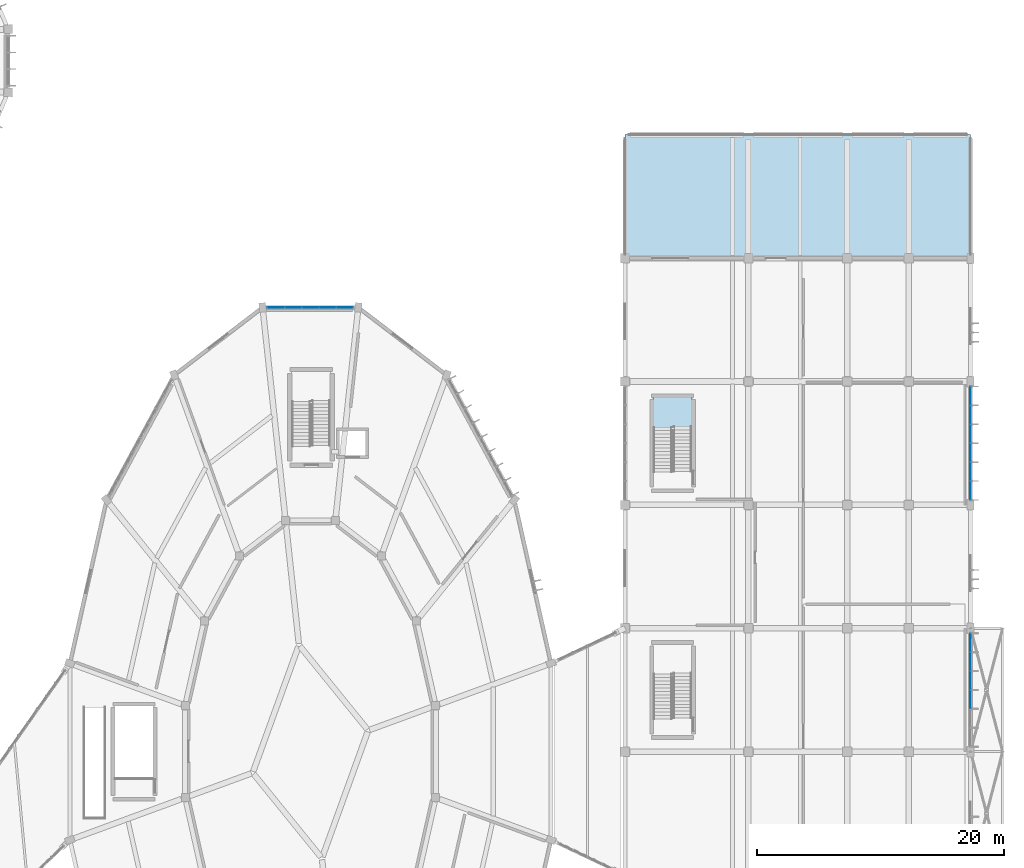
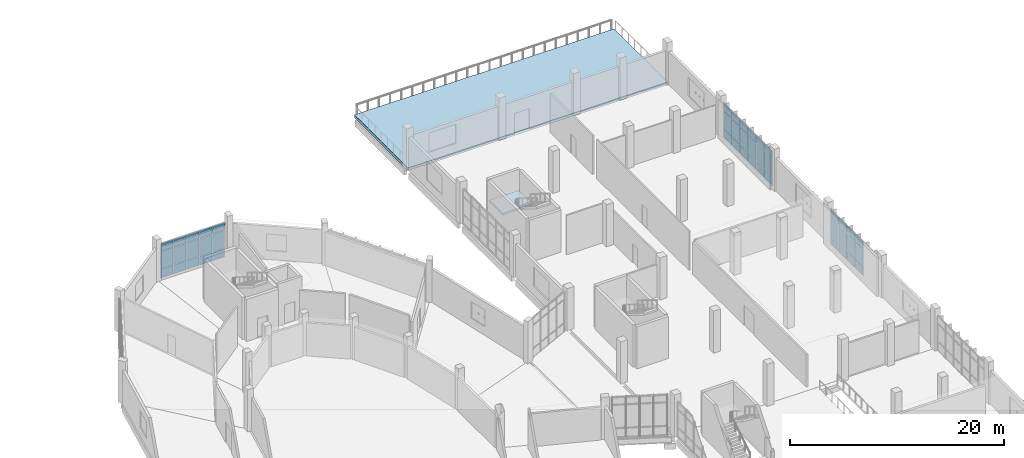
# One storey, part 107 of 179: 45 plates, 2 slabs, 4 elements without a shape of their own.
"""IFC4 building model written with IfcOpenShell, lengths in metres."""

from ifc_helpers import new_model, si_unit, direction, frame, origin, origin_2d, place, context, subcontext, project, spatial, polyline, rectangle, outline, extrude, material, layer, layer_set, type_object, element, aggregate, save


model = new_model("IFC4")

# Units and contexts
model_context = context("Model", 3, precision=1e-05, world=origin(), true_north=direction((0.0, 1.0)))
body_context = subcontext(model_context, "Body", "Model", "MODEL_VIEW")
ifc_project = project(units=[si_unit("LENGTHUNIT", "METRE"), si_unit("AREAUNIT", "SQUARE_METRE"), si_unit("VOLUMEUNIT", "CUBIC_METRE"), si_unit("PLANEANGLEUNIT", "RADIAN"), si_unit("MASSUNIT", "GRAM", prefix="KILO")], contexts=[model_context])

# Site, building, storey
site_placement = place(None, origin())
site = spatial("IfcSite", under=ifc_project, at=site_placement, CompositionType="ELEMENT")
building_placement = place(site_placement, origin())
building = spatial("IfcBuilding", under=site, at=building_placement, Name="Corvandel Quay Wholesale Market", CompositionType="ELEMENT")
storey_placement = place(building_placement, frame((0.0, 0.0, 6.0)))
storey = spatial("IfcBuildingStorey", under=building, at=storey_placement, Name="L01", CompositionType="ELEMENT", Elevation=6.0)

# Curtain wall, plates
ifc_material_1 = material(Name="Bronze anodised aluminium and low-E insulated glazing", Category="aluminium")
ifc_layer_1 = layer(ifc_material_1, 0.18603515625)
ifc_layer_set_1 = layer_set([ifc_layer_1], Name="Bronze anodised aluminium and low-E insulated glazing")
curtain_wall_type_1 = type_object("IfcCurtainWallType", Name="Stick Curtain Wall System CW13 H4170", PredefinedType="NOTDEFINED", material=ifc_layer_set_1)
curtain_wall_1_placement = place(storey_placement, origin())
curtain_wall_1 = element("IfcCurtainWall", 1, at=curtain_wall_1_placement, inside=storey, type_object=curtain_wall_type_1, Name="Curtain Wall CW-0132", PredefinedType="NOTDEFINED")
ifc_material_2 = material(Name="Solar-control low-E insulated glazing", Category="glass")
ifc_layer_2 = layer(ifc_material_2, 0.0400390625)
ifc_layer_set_2 = layer_set([ifc_layer_2], Name="Solar-control low-E insulated glazing")
plate_type_1 = type_object("IfcPlateType", Name="Ceramic Fritted Spandrel Panel PN03 40mm", PredefinedType="CURTAIN_PANEL", material=ifc_layer_set_2)
plate_1_placement = place(storey_placement, frame((197.283203125, 96.0, 3.1298828125), z_axis=(0.0, 0.0, 1.0), x_axis=(1.0, 0.0, 0.0)))
plate_1 = element("IfcPlate", 2, at=plate_1_placement, type_object=plate_type_1, Name="Glazing Panel CW-0132-P00-2", PredefinedType="CURTAIN_PANEL", context=body_context, shape_type="SweptSolid", body=[
    extrude(rectangle(XDim=1.32666015625, YDim=0.0400390625, at=origin_2d()), origin(), (0.0, 0.0, 1.0), 0.7900390625),
])
plate_2_placement = place(storey_placement, frame((195.8916015625, 96.0, 3.1298828125), z_axis=(0.0, 0.0, 1.0), x_axis=(1.0, 0.0, 0.0)))
plate_2 = element("IfcPlate", 3, at=plate_2_placement, type_object=plate_type_1, Name="Glazing Panel CW-0132-P01-2", PredefinedType="CURTAIN_PANEL", context=body_context, shape_type="SweptSolid", body=[
    extrude(rectangle(XDim=1.32666015625, YDim=0.0400390625, at=origin_2d()), origin(), (0.0, 0.0, 1.0), 0.7900390625),
])
plate_3_placement = place(storey_placement, frame((194.5, 96.0, 3.1298828125), z_axis=(0.0, 0.0, 1.0), x_axis=(1.0, 0.0, 0.0)))
plate_3 = element("IfcPlate", 4, at=plate_3_placement, type_object=plate_type_1, Name="Glazing Panel CW-0132-P02-2", PredefinedType="CURTAIN_PANEL", context=body_context, shape_type="SweptSolid", body=[
    extrude(rectangle(XDim=1.32666015625, YDim=0.0400390625, at=origin_2d()), origin(), (0.0, 0.0, 1.0), 0.7900390625),
])
plate_4_placement = place(storey_placement, frame((193.1083984375, 96.0, 3.1298828125), z_axis=(0.0, 0.0, 1.0), x_axis=(1.0, 0.0, 0.0)))
plate_4 = element("IfcPlate", 5, at=plate_4_placement, type_object=plate_type_1, Name="Glazing Panel CW-0132-P03-2", PredefinedType="CURTAIN_PANEL", context=body_context, shape_type="SweptSolid", body=[
    extrude(rectangle(XDim=1.32666015625, YDim=0.0400390625, at=origin_2d()), origin(), (0.0, 0.0, 1.0), 0.7900390625),
])
plate_5_placement = place(storey_placement, frame((191.716796875, 96.0, 3.1298828125), z_axis=(0.0, 0.0, 1.0), x_axis=(1.0, 0.0, 0.0)))
plate_5 = element("IfcPlate", 6, at=plate_5_placement, type_object=plate_type_1, Name="Glazing Panel CW-0132-P04-2", PredefinedType="CURTAIN_PANEL", context=body_context, shape_type="SweptSolid", body=[
    extrude(rectangle(XDim=1.32666015625, YDim=0.0400390625, at=origin_2d()), origin(), (0.0, 0.0, 1.0), 0.7900390625),
])

ifc_layer_3 = layer(ifc_material_1, 0.18603515625)
ifc_layer_set_3 = layer_set([ifc_layer_3], Name="Bronze anodised aluminium and low-E insulated glazing")
curtain_wall_type_2 = type_object("IfcCurtainWallType", Name="Stick Curtain Wall System CW18 H4620", PredefinedType="NOTDEFINED", material=ifc_layer_set_3)
curtain_wall_2_placement = place(storey_placement, origin())
curtain_wall_2 = element("IfcCurtainWall", 7, at=curtain_wall_2_placement, inside=storey, type_object=curtain_wall_type_2, Name="Curtain Wall CW-0153", PredefinedType="NOTDEFINED")
plate_6_placement = place(storey_placement, frame((248.0, 64.2333984375, 3.1298828125), z_axis=(0.0, 0.0, 1.0), x_axis=(0.0, 1.0, 0.0)))
plate_6 = element("IfcPlate", 8, at=plate_6_placement, type_object=plate_type_1, Name="Glazing Panel CW-0153-P02-2", PredefinedType="CURTAIN_PANEL", context=body_context, shape_type="SweptSolid", body=[
    extrude(rectangle(XDim=1.46826171875, YDim=0.0400390625, at=origin_2d()), origin(), (0.0, 0.0, 1.0), 0.7900390625),
])
plate_7_placement = place(storey_placement, frame((248.0, 65.7666015625, 3.1298828125), z_axis=(0.0, 0.0, 1.0), x_axis=(0.0, 1.0, 0.0)))
plate_7 = element("IfcPlate", 9, at=plate_7_placement, type_object=plate_type_1, Name="Glazing Panel CW-0153-P03-2", PredefinedType="CURTAIN_PANEL", context=body_context, shape_type="SweptSolid", body=[
    extrude(rectangle(XDim=1.46826171875, YDim=0.0400390625, at=origin_2d()), origin(), (0.0, 0.0, 1.0), 0.7900390625),
])
plate_8_placement = place(storey_placement, frame((248.0, 67.300048828125, 3.1298828125), z_axis=(0.0, 0.0, 1.0), x_axis=(0.0, 1.0, 0.0)))
plate_8 = element("IfcPlate", 10, at=plate_8_placement, type_object=plate_type_1, Name="Glazing Panel CW-0153-P04-2", PredefinedType="CURTAIN_PANEL", context=body_context, shape_type="SweptSolid", body=[
    extrude(rectangle(XDim=1.46826171875, YDim=0.0400390625, at=origin_2d()), origin(), (0.0, 0.0, 1.0), 0.7900390625),
])
plate_9_placement = place(storey_placement, frame((248.0, 68.833251953125, 3.1298828125), z_axis=(0.0, 0.0, 1.0), x_axis=(0.0, 1.0, 0.0)))
plate_9 = element("IfcPlate", 11, at=plate_9_placement, type_object=plate_type_1, Name="Glazing Panel CW-0153-P05-2", PredefinedType="CURTAIN_PANEL", context=body_context, shape_type="SweptSolid", body=[
    extrude(rectangle(XDim=1.46826171875, YDim=0.0400390625, at=origin_2d()), origin(), (0.0, 0.0, 1.0), 0.7900390625),
])

ifc_layer_4 = layer(ifc_material_1, 0.14990234375)
ifc_layer_set_4 = layer_set([ifc_layer_4], Name="Bronze anodised aluminium and low-E insulated glazing")
curtain_wall_type_3 = type_object("IfcCurtainWallType", Name="Stick Curtain Wall System CW20 H4800", PredefinedType="NOTDEFINED", material=ifc_layer_set_4)
curtain_wall_3_placement = place(storey_placement, origin())
curtain_wall_3 = element("IfcCurtainWall", 12, at=curtain_wall_3_placement, inside=storey, type_object=curtain_wall_type_3, Name="Curtain Wall CW-0154", PredefinedType="NOTDEFINED")
plate_10_placement = place(storey_placement, frame((248.0, 81.166748046875, 3.1298828125), z_axis=(0.0, 0.0, 1.0), x_axis=(0.0, 1.0, 0.0)))
plate_10 = element("IfcPlate", 13, at=plate_10_placement, type_object=plate_type_1, Name="Glazing Panel CW-0154-P00-2", PredefinedType="CURTAIN_PANEL", context=body_context, shape_type="SweptSolid", body=[
    extrude(rectangle(XDim=1.46826171875, YDim=0.0400390625, at=origin_2d()), origin(), (0.0, 0.0, 1.0), 0.7900390625),
])
plate_11_placement = place(storey_placement, frame((248.0, 82.699951171875, 3.1298828125), z_axis=(0.0, 0.0, 1.0), x_axis=(0.0, 1.0, 0.0)))
plate_11 = element("IfcPlate", 14, at=plate_11_placement, type_object=plate_type_1, Name="Glazing Panel CW-0154-P01-2", PredefinedType="CURTAIN_PANEL", context=body_context, shape_type="SweptSolid", body=[
    extrude(rectangle(XDim=1.46826171875, YDim=0.0400390625, at=origin_2d()), origin(), (0.0, 0.0, 1.0), 0.7900390625),
])
plate_12_placement = place(storey_placement, frame((248.0, 84.2333984375, 3.1298828125), z_axis=(0.0, 0.0, 1.0), x_axis=(0.0, 1.0, 0.0)))
plate_12 = element("IfcPlate", 15, at=plate_12_placement, type_object=plate_type_1, Name="Glazing Panel CW-0154-P02-2", PredefinedType="CURTAIN_PANEL", context=body_context, shape_type="SweptSolid", body=[
    extrude(rectangle(XDim=1.46826171875, YDim=0.0400390625, at=origin_2d()), origin(), (0.0, 0.0, 1.0), 0.7900390625),
])
plate_13_placement = place(storey_placement, frame((248.0, 85.7666015625, 3.1298828125), z_axis=(0.0, 0.0, 1.0), x_axis=(0.0, 1.0, 0.0)))
plate_13 = element("IfcPlate", 16, at=plate_13_placement, type_object=plate_type_1, Name="Glazing Panel CW-0154-P03-2", PredefinedType="CURTAIN_PANEL", context=body_context, shape_type="SweptSolid", body=[
    extrude(rectangle(XDim=1.46826171875, YDim=0.0400390625, at=origin_2d()), origin(), (0.0, 0.0, 1.0), 0.7900390625),
])
plate_14_placement = place(storey_placement, frame((248.0, 87.300048828125, 3.1298828125), z_axis=(0.0, 0.0, 1.0), x_axis=(0.0, 1.0, 0.0)))
plate_14 = element("IfcPlate", 17, at=plate_14_placement, type_object=plate_type_1, Name="Glazing Panel CW-0154-P04-2", PredefinedType="CURTAIN_PANEL", context=body_context, shape_type="SweptSolid", body=[
    extrude(rectangle(XDim=1.46826171875, YDim=0.0400390625, at=origin_2d()), origin(), (0.0, 0.0, 1.0), 0.7900390625),
])
plate_15_placement = place(storey_placement, frame((248.0, 88.833251953125, 3.1298828125), z_axis=(0.0, 0.0, 1.0), x_axis=(0.0, 1.0, 0.0)))
plate_15 = element("IfcPlate", 18, at=plate_15_placement, type_object=plate_type_1, Name="Glazing Panel CW-0154-P05-2", PredefinedType="CURTAIN_PANEL", context=body_context, shape_type="SweptSolid", body=[
    extrude(rectangle(XDim=1.46826171875, YDim=0.0400390625, at=origin_2d()), origin(), (0.0, 0.0, 1.0), 0.7900390625),
])

# Plate
ifc_layer_5 = layer(ifc_material_2, 0.028076171875)
ifc_layer_set_5 = layer_set([ifc_layer_5], Name="Solar-control low-E insulated glazing")
plate_type_2 = type_object("IfcPlateType", Name="Double Low-E Vision Panel PN01 28mm", PredefinedType="CURTAIN_PANEL", material=ifc_layer_set_5)
plate_16_placement = place(storey_placement, frame((197.283203125, 96.0, 0.02978515625), z_axis=(0.0, 0.0, 1.0), x_axis=(1.0, 0.0, 0.0)))
plate_16 = element("IfcPlate", 19, at=plate_16_placement, type_object=plate_type_2, Name="Glazing Panel CW-0132-P00-0", PredefinedType="CURTAIN_PANEL", context=body_context, shape_type="SweptSolid", body=[
    extrude(rectangle(XDim=1.32666015625, YDim=0.028076171875, at=origin_2d()), origin(), (0.0, 0.0, 1.0), 0.989990234375),
])

plate_17_placement = place(storey_placement, frame((197.283203125, 96.0, 1.080078125), z_axis=(0.0, 0.0, 1.0), x_axis=(1.0, 0.0, 0.0)))
plate_17 = element("IfcPlate", 20, at=plate_17_placement, type_object=plate_type_2, Name="Glazing Panel CW-0132-P00-1", PredefinedType="CURTAIN_PANEL", context=body_context, shape_type="SweptSolid", body=[
    extrude(rectangle(XDim=1.32666015625, YDim=0.028076171875, at=origin_2d()), origin(), (0.0, 0.0, 1.0), 1.989990234375),
])

plate_18_placement = place(storey_placement, frame((195.8916015625, 96.0, 0.02978515625), z_axis=(0.0, 0.0, 1.0), x_axis=(1.0, 0.0, 0.0)))
plate_18 = element("IfcPlate", 21, at=plate_18_placement, type_object=plate_type_2, Name="Glazing Panel CW-0132-P01-0", PredefinedType="CURTAIN_PANEL", context=body_context, shape_type="SweptSolid", body=[
    extrude(rectangle(XDim=1.32666015625, YDim=0.028076171875, at=origin_2d()), origin(), (0.0, 0.0, 1.0), 0.989990234375),
])

plate_19_placement = place(storey_placement, frame((195.8916015625, 96.0, 1.080078125), z_axis=(0.0, 0.0, 1.0), x_axis=(1.0, 0.0, 0.0)))
plate_19 = element("IfcPlate", 22, at=plate_19_placement, type_object=plate_type_2, Name="Glazing Panel CW-0132-P01-1", PredefinedType="CURTAIN_PANEL", context=body_context, shape_type="SweptSolid", body=[
    extrude(rectangle(XDim=1.32666015625, YDim=0.028076171875, at=origin_2d()), origin(), (0.0, 0.0, 1.0), 1.989990234375),
])

plate_20_placement = place(storey_placement, frame((194.5, 96.0, 0.02978515625), z_axis=(0.0, 0.0, 1.0), x_axis=(1.0, 0.0, 0.0)))
plate_20 = element("IfcPlate", 23, at=plate_20_placement, type_object=plate_type_2, Name="Glazing Panel CW-0132-P02-0", PredefinedType="CURTAIN_PANEL", context=body_context, shape_type="SweptSolid", body=[
    extrude(rectangle(XDim=1.32666015625, YDim=0.028076171875, at=origin_2d()), origin(), (0.0, 0.0, 1.0), 0.989990234375),
])

plate_21_placement = place(storey_placement, frame((194.5, 96.0, 1.080078125), z_axis=(0.0, 0.0, 1.0), x_axis=(1.0, 0.0, 0.0)))
plate_21 = element("IfcPlate", 24, at=plate_21_placement, type_object=plate_type_2, Name="Glazing Panel CW-0132-P02-1", PredefinedType="CURTAIN_PANEL", context=body_context, shape_type="SweptSolid", body=[
    extrude(rectangle(XDim=1.32666015625, YDim=0.028076171875, at=origin_2d()), origin(), (0.0, 0.0, 1.0), 1.989990234375),
])

plate_22_placement = place(storey_placement, frame((193.1083984375, 96.0, 0.02978515625), z_axis=(0.0, 0.0, 1.0), x_axis=(1.0, 0.0, 0.0)))
plate_22 = element("IfcPlate", 25, at=plate_22_placement, type_object=plate_type_2, Name="Glazing Panel CW-0132-P03-0", PredefinedType="CURTAIN_PANEL", context=body_context, shape_type="SweptSolid", body=[
    extrude(rectangle(XDim=1.32666015625, YDim=0.028076171875, at=origin_2d()), origin(), (0.0, 0.0, 1.0), 0.989990234375),
])

plate_23_placement = place(storey_placement, frame((193.1083984375, 96.0, 1.080078125), z_axis=(0.0, 0.0, 1.0), x_axis=(1.0, 0.0, 0.0)))
plate_23 = element("IfcPlate", 26, at=plate_23_placement, type_object=plate_type_2, Name="Glazing Panel CW-0132-P03-1", PredefinedType="CURTAIN_PANEL", context=body_context, shape_type="SweptSolid", body=[
    extrude(rectangle(XDim=1.32666015625, YDim=0.028076171875, at=origin_2d()), origin(), (0.0, 0.0, 1.0), 1.989990234375),
])

plate_24_placement = place(storey_placement, frame((191.716796875, 96.0, 0.02978515625), z_axis=(0.0, 0.0, 1.0), x_axis=(1.0, 0.0, 0.0)))
plate_24 = element("IfcPlate", 27, at=plate_24_placement, type_object=plate_type_2, Name="Glazing Panel CW-0132-P04-0", PredefinedType="CURTAIN_PANEL", context=body_context, shape_type="SweptSolid", body=[
    extrude(rectangle(XDim=1.32666015625, YDim=0.028076171875, at=origin_2d()), origin(), (0.0, 0.0, 1.0), 0.989990234375),
])

plate_25_placement = place(storey_placement, frame((191.716796875, 96.0, 1.080078125), z_axis=(0.0, 0.0, 1.0), x_axis=(1.0, 0.0, 0.0)))
plate_25 = element("IfcPlate", 28, at=plate_25_placement, type_object=plate_type_2, Name="Glazing Panel CW-0132-P04-1", PredefinedType="CURTAIN_PANEL", context=body_context, shape_type="SweptSolid", body=[
    extrude(rectangle(XDim=1.32666015625, YDim=0.028076171875, at=origin_2d()), origin(), (0.0, 0.0, 1.0), 1.989990234375),
])

aggregate(curtain_wall_1, [plate_16, plate_17, plate_1, plate_18, plate_19, plate_2, plate_20, plate_21, plate_3, plate_22, plate_23, plate_4, plate_24, plate_25, plate_5])

plate_26_placement = place(storey_placement, frame((248.0, 64.2333984375, 0.02978515625), z_axis=(0.0, 0.0, 1.0), x_axis=(0.0, 1.0, 0.0)))
plate_26 = element("IfcPlate", 29, at=plate_26_placement, type_object=plate_type_2, Name="Glazing Panel CW-0153-P02-0", PredefinedType="CURTAIN_PANEL", context=body_context, shape_type="SweptSolid", body=[
    extrude(rectangle(XDim=1.46826171875, YDim=0.028076171875, at=origin_2d()), origin(), (0.0, 0.0, 1.0), 0.989990234375),
])

plate_27_placement = place(storey_placement, frame((248.0, 64.2333984375, 1.080078125), z_axis=(0.0, 0.0, 1.0), x_axis=(0.0, 1.0, 0.0)))
plate_27 = element("IfcPlate", 30, at=plate_27_placement, type_object=plate_type_2, Name="Glazing Panel CW-0153-P02-1", PredefinedType="CURTAIN_PANEL", context=body_context, shape_type="SweptSolid", body=[
    extrude(rectangle(XDim=1.46826171875, YDim=0.028076171875, at=origin_2d()), origin(), (0.0, 0.0, 1.0), 1.989990234375),
])

plate_28_placement = place(storey_placement, frame((248.0, 65.7666015625, 0.02978515625), z_axis=(0.0, 0.0, 1.0), x_axis=(0.0, 1.0, 0.0)))
plate_28 = element("IfcPlate", 31, at=plate_28_placement, type_object=plate_type_2, Name="Glazing Panel CW-0153-P03-0", PredefinedType="CURTAIN_PANEL", context=body_context, shape_type="SweptSolid", body=[
    extrude(rectangle(XDim=1.46826171875, YDim=0.028076171875, at=origin_2d()), origin(), (0.0, 0.0, 1.0), 0.989990234375),
])

plate_29_placement = place(storey_placement, frame((248.0, 65.7666015625, 1.080078125), z_axis=(0.0, 0.0, 1.0), x_axis=(0.0, 1.0, 0.0)))
plate_29 = element("IfcPlate", 32, at=plate_29_placement, type_object=plate_type_2, Name="Glazing Panel CW-0153-P03-1", PredefinedType="CURTAIN_PANEL", context=body_context, shape_type="SweptSolid", body=[
    extrude(rectangle(XDim=1.46826171875, YDim=0.028076171875, at=origin_2d()), origin(), (0.0, 0.0, 1.0), 1.989990234375),
])

plate_30_placement = place(storey_placement, frame((248.0, 67.300048828125, 0.02978515625), z_axis=(0.0, 0.0, 1.0), x_axis=(0.0, 1.0, 0.0)))
plate_30 = element("IfcPlate", 33, at=plate_30_placement, type_object=plate_type_2, Name="Glazing Panel CW-0153-P04-0", PredefinedType="CURTAIN_PANEL", context=body_context, shape_type="SweptSolid", body=[
    extrude(rectangle(XDim=1.46826171875, YDim=0.028076171875, at=origin_2d()), origin(), (0.0, 0.0, 1.0), 0.989990234375),
])

plate_31_placement = place(storey_placement, frame((248.0, 67.300048828125, 1.080078125), z_axis=(0.0, 0.0, 1.0), x_axis=(0.0, 1.0, 0.0)))
plate_31 = element("IfcPlate", 34, at=plate_31_placement, type_object=plate_type_2, Name="Glazing Panel CW-0153-P04-1", PredefinedType="CURTAIN_PANEL", context=body_context, shape_type="SweptSolid", body=[
    extrude(rectangle(XDim=1.46826171875, YDim=0.028076171875, at=origin_2d()), origin(), (0.0, 0.0, 1.0), 1.989990234375),
])

plate_32_placement = place(storey_placement, frame((248.0, 68.833251953125, 0.02978515625), z_axis=(0.0, 0.0, 1.0), x_axis=(0.0, 1.0, 0.0)))
plate_32 = element("IfcPlate", 35, at=plate_32_placement, type_object=plate_type_2, Name="Glazing Panel CW-0153-P05-0", PredefinedType="CURTAIN_PANEL", context=body_context, shape_type="SweptSolid", body=[
    extrude(rectangle(XDim=1.46826171875, YDim=0.028076171875, at=origin_2d()), origin(), (0.0, 0.0, 1.0), 0.989990234375),
])

plate_33_placement = place(storey_placement, frame((248.0, 68.833251953125, 1.080078125), z_axis=(0.0, 0.0, 1.0), x_axis=(0.0, 1.0, 0.0)))
plate_33 = element("IfcPlate", 36, at=plate_33_placement, type_object=plate_type_2, Name="Glazing Panel CW-0153-P05-1", PredefinedType="CURTAIN_PANEL", context=body_context, shape_type="SweptSolid", body=[
    extrude(rectangle(XDim=1.46826171875, YDim=0.028076171875, at=origin_2d()), origin(), (0.0, 0.0, 1.0), 1.989990234375),
])

aggregate(curtain_wall_2, [plate_26, plate_27, plate_6, plate_28, plate_29, plate_7, plate_30, plate_31, plate_8, plate_32, plate_33, plate_9])

plate_34_placement = place(storey_placement, frame((248.0, 81.166748046875, 0.02978515625), z_axis=(0.0, 0.0, 1.0), x_axis=(0.0, 1.0, 0.0)))
plate_34 = element("IfcPlate", 37, at=plate_34_placement, type_object=plate_type_2, Name="Glazing Panel CW-0154-P00-0", PredefinedType="CURTAIN_PANEL", context=body_context, shape_type="SweptSolid", body=[
    extrude(rectangle(XDim=1.46826171875, YDim=0.028076171875, at=origin_2d()), origin(), (0.0, 0.0, 1.0), 0.989990234375),
])

plate_35_placement = place(storey_placement, frame((248.0, 81.166748046875, 1.080078125), z_axis=(0.0, 0.0, 1.0), x_axis=(0.0, 1.0, 0.0)))
plate_35 = element("IfcPlate", 38, at=plate_35_placement, type_object=plate_type_2, Name="Glazing Panel CW-0154-P00-1", PredefinedType="CURTAIN_PANEL", context=body_context, shape_type="SweptSolid", body=[
    extrude(rectangle(XDim=1.46826171875, YDim=0.028076171875, at=origin_2d()), origin(), (0.0, 0.0, 1.0), 1.989990234375),
])

plate_36_placement = place(storey_placement, frame((248.0, 82.699951171875, 0.02978515625), z_axis=(0.0, 0.0, 1.0), x_axis=(0.0, 1.0, 0.0)))
plate_36 = element("IfcPlate", 39, at=plate_36_placement, type_object=plate_type_2, Name="Glazing Panel CW-0154-P01-0", PredefinedType="CURTAIN_PANEL", context=body_context, shape_type="SweptSolid", body=[
    extrude(rectangle(XDim=1.46826171875, YDim=0.028076171875, at=origin_2d()), origin(), (0.0, 0.0, 1.0), 0.989990234375),
])

plate_37_placement = place(storey_placement, frame((248.0, 82.699951171875, 1.080078125), z_axis=(0.0, 0.0, 1.0), x_axis=(0.0, 1.0, 0.0)))
plate_37 = element("IfcPlate", 40, at=plate_37_placement, type_object=plate_type_2, Name="Glazing Panel CW-0154-P01-1", PredefinedType="CURTAIN_PANEL", context=body_context, shape_type="SweptSolid", body=[
    extrude(rectangle(XDim=1.46826171875, YDim=0.028076171875, at=origin_2d()), origin(), (0.0, 0.0, 1.0), 1.989990234375),
])

plate_38_placement = place(storey_placement, frame((248.0, 84.2333984375, 0.02978515625), z_axis=(0.0, 0.0, 1.0), x_axis=(0.0, 1.0, 0.0)))
plate_38 = element("IfcPlate", 41, at=plate_38_placement, type_object=plate_type_2, Name="Glazing Panel CW-0154-P02-0", PredefinedType="CURTAIN_PANEL", context=body_context, shape_type="SweptSolid", body=[
    extrude(rectangle(XDim=1.46826171875, YDim=0.028076171875, at=origin_2d()), origin(), (0.0, 0.0, 1.0), 0.989990234375),
])

plate_39_placement = place(storey_placement, frame((248.0, 84.2333984375, 1.080078125), z_axis=(0.0, 0.0, 1.0), x_axis=(0.0, 1.0, 0.0)))
plate_39 = element("IfcPlate", 42, at=plate_39_placement, type_object=plate_type_2, Name="Glazing Panel CW-0154-P02-1", PredefinedType="CURTAIN_PANEL", context=body_context, shape_type="SweptSolid", body=[
    extrude(rectangle(XDim=1.46826171875, YDim=0.028076171875, at=origin_2d()), origin(), (0.0, 0.0, 1.0), 1.989990234375),
])

plate_40_placement = place(storey_placement, frame((248.0, 85.7666015625, 0.02978515625), z_axis=(0.0, 0.0, 1.0), x_axis=(0.0, 1.0, 0.0)))
plate_40 = element("IfcPlate", 43, at=plate_40_placement, type_object=plate_type_2, Name="Glazing Panel CW-0154-P03-0", PredefinedType="CURTAIN_PANEL", context=body_context, shape_type="SweptSolid", body=[
    extrude(rectangle(XDim=1.46826171875, YDim=0.028076171875, at=origin_2d()), origin(), (0.0, 0.0, 1.0), 0.989990234375),
])

plate_41_placement = place(storey_placement, frame((248.0, 85.7666015625, 1.080078125), z_axis=(0.0, 0.0, 1.0), x_axis=(0.0, 1.0, 0.0)))
plate_41 = element("IfcPlate", 44, at=plate_41_placement, type_object=plate_type_2, Name="Glazing Panel CW-0154-P03-1", PredefinedType="CURTAIN_PANEL", context=body_context, shape_type="SweptSolid", body=[
    extrude(rectangle(XDim=1.46826171875, YDim=0.028076171875, at=origin_2d()), origin(), (0.0, 0.0, 1.0), 1.989990234375),
])

plate_42_placement = place(storey_placement, frame((248.0, 87.300048828125, 0.02978515625), z_axis=(0.0, 0.0, 1.0), x_axis=(0.0, 1.0, 0.0)))
plate_42 = element("IfcPlate", 45, at=plate_42_placement, type_object=plate_type_2, Name="Glazing Panel CW-0154-P04-0", PredefinedType="CURTAIN_PANEL", context=body_context, shape_type="SweptSolid", body=[
    extrude(rectangle(XDim=1.46826171875, YDim=0.028076171875, at=origin_2d()), origin(), (0.0, 0.0, 1.0), 0.989990234375),
])

plate_43_placement = place(storey_placement, frame((248.0, 87.300048828125, 1.080078125), z_axis=(0.0, 0.0, 1.0), x_axis=(0.0, 1.0, 0.0)))
plate_43 = element("IfcPlate", 46, at=plate_43_placement, type_object=plate_type_2, Name="Glazing Panel CW-0154-P04-1", PredefinedType="CURTAIN_PANEL", context=body_context, shape_type="SweptSolid", body=[
    extrude(rectangle(XDim=1.46826171875, YDim=0.028076171875, at=origin_2d()), origin(), (0.0, 0.0, 1.0), 1.989990234375),
])

plate_44_placement = place(storey_placement, frame((248.0, 88.833251953125, 0.02978515625), z_axis=(0.0, 0.0, 1.0), x_axis=(0.0, 1.0, 0.0)))
plate_44 = element("IfcPlate", 47, at=plate_44_placement, type_object=plate_type_2, Name="Glazing Panel CW-0154-P05-0", PredefinedType="CURTAIN_PANEL", context=body_context, shape_type="SweptSolid", body=[
    extrude(rectangle(XDim=1.46826171875, YDim=0.028076171875, at=origin_2d()), origin(), (0.0, 0.0, 1.0), 0.989990234375),
])

plate_45_placement = place(storey_placement, frame((248.0, 88.833251953125, 1.080078125), z_axis=(0.0, 0.0, 1.0), x_axis=(0.0, 1.0, 0.0)))
plate_45 = element("IfcPlate", 48, at=plate_45_placement, type_object=plate_type_2, Name="Glazing Panel CW-0154-P05-1", PredefinedType="CURTAIN_PANEL", context=body_context, shape_type="SweptSolid", body=[
    extrude(rectangle(XDim=1.46826171875, YDim=0.028076171875, at=origin_2d()), origin(), (0.0, 0.0, 1.0), 1.989990234375),
])

aggregate(curtain_wall_3, [plate_34, plate_35, plate_10, plate_36, plate_37, plate_11, plate_38, plate_39, plate_12, plate_40, plate_41, plate_13, plate_42, plate_43, plate_14, plate_44, plate_45, plate_15])

# Slab
ifc_material_3 = material(Name="Concrete C40/50", Category="concrete")
ifc_layer_6 = layer(ifc_material_3, 0.320068359375)
ifc_layer_set_6 = layer_set([ifc_layer_6], Name="Concrete C40/50")
slab_type_1 = type_object("IfcSlabType", Name="Planted Roof Garden Terrace Slab 320", PredefinedType="FLOOR", material=ifc_layer_set_6)
slab_1_placement = place(storey_placement, frame((0.0, 0.0, -0.320068359375)))
element("IfcSlab", 49, at=slab_1_placement, inside=storey, type_object=slab_type_1, Name="Slab SLB-0465", PredefinedType="FLOOR", context=body_context, shape_type="SweptSolid", body=[
    extrude(outline(polyline([(220.0, 100.0), (248.0, 100.0), (248.0, 110.0), (220.0, 110.0), (220.0, 100.0)])), origin(), (0.0, 0.0, 1.0), 0.320068359375),
])

# Stair, slab
stair_type = type_object("IfcStairType", Name="Exit Stair Two-Return L01-L02 ST02", PredefinedType="USERDEFINED", material=ifc_material_3)
stair_placement = place(storey_placement, origin())
stair = element("IfcStair", 50, at=stair_placement, inside=storey, type_object=stair_type, Name="Exit Stair STR-039", ObjectType="TWO_RETURN_STAIR", PredefinedType="USERDEFINED")
ifc_layer_7 = layer(ifc_material_3, 0.219970703125)
ifc_layer_set_7 = layer_set([ifc_layer_7], Name="Concrete C40/50")
slab_type_2 = type_object("IfcSlabType", Name="Precast Stair Landing LND02 220", PredefinedType="LANDING", material=ifc_layer_set_7)
slab_2_placement = place(storey_placement, frame((0.0, 0.0, 2.179931640625)))
slab_2 = element("IfcSlab", 51, at=slab_2_placement, type_object=slab_type_2, Name="Stair Landing STR-039-LND", PredefinedType="LANDING", context=body_context, shape_type="SweptSolid", body=[
    extrude(outline(polyline([(222.260009765625, 86.18994140625), (225.43994140625, 86.18994140625), (225.43994140625, 88.739990234375), (222.260009765625, 88.739990234375), (222.260009765625, 86.18994140625)])), origin(), (0.0, 0.0, 1.0), 0.219970703125),
])
aggregate(stair, [slab_2])

save(model, "model.ifc")
